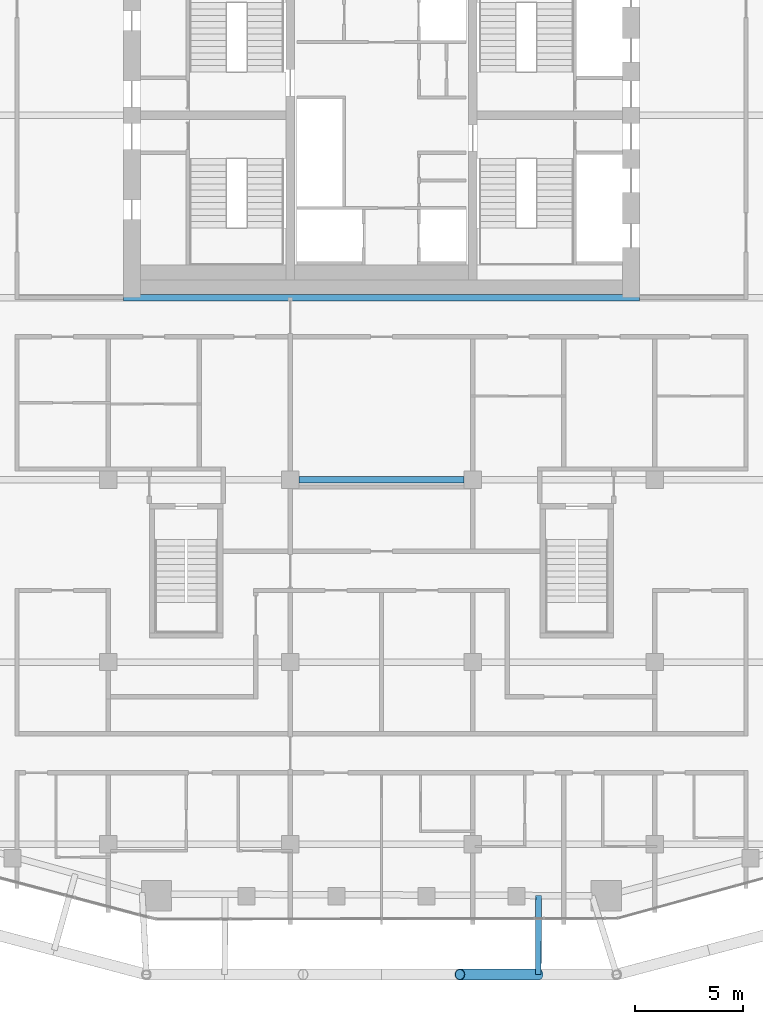
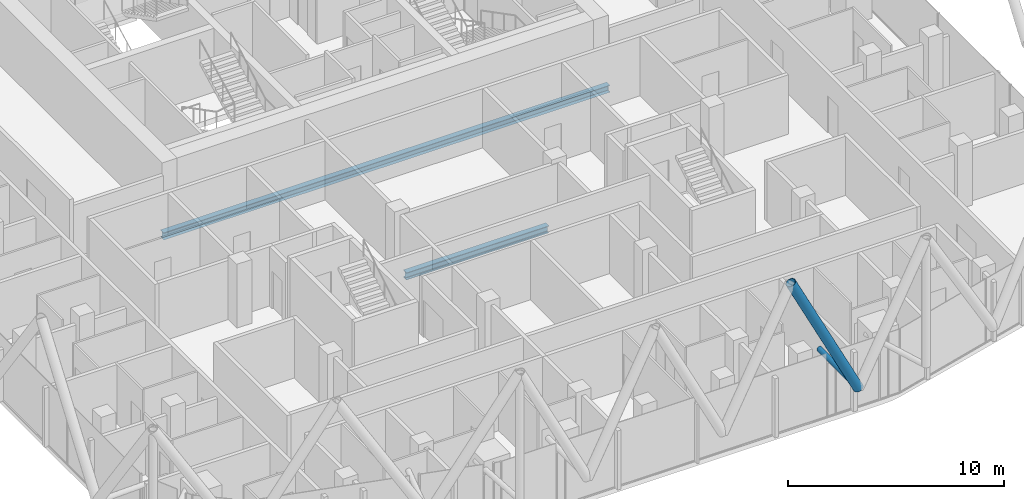
# One storey, part 5 of 31: 2 beams, 2 members.
"""IFC4 building model written with IfcOpenShell, lengths in metres."""

from ifc_helpers import new_model, si_unit, direction, frame, origin, origin_2d, place, context, subcontext, project, spatial, hollow_circle, i_section, extrude, material, material_profile, profile_set, type_object, element, save


model = new_model("IFC4")

# Units and contexts
model_context = context("Model", 3, precision=1e-05, world=origin(), true_north=direction((0.0, 1.0)))
body_context = subcontext(model_context, "Body", "Model", "MODEL_VIEW")
ifc_project = project(units=[si_unit("LENGTHUNIT", "METRE"), si_unit("AREAUNIT", "SQUARE_METRE"), si_unit("VOLUMEUNIT", "CUBIC_METRE"), si_unit("PLANEANGLEUNIT", "RADIAN"), si_unit("MASSUNIT", "GRAM", prefix="KILO")], contexts=[model_context])

# Site, building, storey
site_placement = place(None, origin())
site = spatial("IfcSite", under=ifc_project, at=site_placement, CompositionType="ELEMENT")
building_placement = place(site_placement, origin())
building = spatial("IfcBuilding", under=site, at=building_placement, Name="Marenta Gate Hotel Tower", CompositionType="ELEMENT")
storey_placement = place(building_placement, frame((0.0, 0.0, 220.10009765625)))
storey = spatial("IfcBuildingStorey", under=building, at=storey_placement, Name="L51", CompositionType="ELEMENT", Elevation=220.10009765625)

# Members
ifc_material_1 = material(Name="Steel S355J2W", Category="steel")
ifc_material_profile_1 = material_profile(ifc_material_1, hollow_circle(Radius=0.25390625, WallThickness=0.02490234375, at=origin_2d()), Name="CHS 508x25")
ifc_profile_set_1 = profile_set([ifc_material_profile_1], Name="Steel S355J2W")
member_type_1 = type_object("IfcMemberType", Name="Diagrid diagonal Z3 CHS 508x25", PredefinedType="BRACE", material=ifc_profile_set_1)
member_1_placement = place(storey_placement, frame((7.22607421875, -31.199951171875, 3.139892578125), z_axis=(-0.44851025603, 0.0, 0.893777685018), x_axis=(0.0, -1.0, 0.0)))
element("IfcMember", 1, at=member_1_placement, inside=storey, type_object=member_type_1, Name="L51-DG-16", PredefinedType="BRACE", context=body_context, shape_type="SweptSolid", body=[
    extrude(hollow_circle(Radius=0.25390625, WallThickness=0.02490234375, at=origin_2d()), origin(), (0.0, 0.0, 1.0), 8.0556640625),
])
ifc_material_2 = material(Name="Steel S355J2W", Category="steel")
ifc_material_profile_2 = material_profile(ifc_material_2, hollow_circle(Radius=0.136474609375, WallThickness=0.012451171875, at=origin_2d()), Name="CHS 273x12.5")
ifc_profile_set_2 = profile_set([ifc_material_profile_2], Name="Steel S355J2W")
member_type_2 = type_object("IfcMemberType", Name="Floor tie CHS 273x12.5", PredefinedType="STRUT", material=ifc_profile_set_2)
member_2_placement = place(storey_placement, frame((7.22607421875, -31.199951171875, 3.139892578125), z_axis=(0.003830102265, 0.999992665131, 0.0), x_axis=(-0.999992665131, 0.003830102265, 0.0)))
element("IfcMember", 2, at=member_2_placement, inside=storey, type_object=member_type_2, Name="L51-DR-14", PredefinedType="STRUT", context=body_context, shape_type="SweptSolid", body=[
    extrude(hollow_circle(Radius=0.136474609375, WallThickness=0.012451171875, at=origin_2d()), origin(), (0.0, 0.0, 1.0), 3.63330078125),
])

# Beams
ifc_material_3 = material(Name="Steel S355", Category="steel")
ifc_material_profile_3 = material_profile(ifc_material_3, i_section(OverallWidth=0.300048828125, OverallDepth=0.39990234375, WebThickness=0.013427734375, FlangeThickness=0.02392578125, FilletRadius=0.027099609375, at=origin_2d()), Name="HEB 400")
ifc_profile_set_3 = profile_set([ifc_material_profile_3], Name="Steel S355")
beam_type = type_object("IfcBeamType", Name="Girder HEB 400", PredefinedType="BEAM", material=ifc_profile_set_3)
beam_1_placement = place(storey_placement, frame((-3.800048828125, -8.39990234375, -0.460205078125), z_axis=(1.0, 0.0, 0.0), x_axis=(0.0, 1.0, 0.0)))
element("IfcBeam", 3, at=beam_1_placement, inside=storey, type_object=beam_type, Name="L51-GD-16", PredefinedType="BEAM", context=body_context, shape_type="SweptSolid", body=[
    extrude(i_section(OverallWidth=0.300048828125, OverallDepth=0.39990234375, WebThickness=0.013427734375, FlangeThickness=0.02392578125, FilletRadius=0.027099609375, at=origin_2d()), origin(), (0.0, 0.0, 1.0), 7.60009765625),
])
beam_2_placement = place(storey_placement, frame((-11.89990234375, 0.0, -0.460205078125), z_axis=(1.0, 0.0, 0.0), x_axis=(0.0, 1.0, 0.0)))
element("IfcBeam", 4, at=beam_2_placement, inside=storey, type_object=beam_type, Name="L51-GD-22", PredefinedType="BEAM", context=body_context, shape_type="SweptSolid", body=[
    extrude(i_section(OverallWidth=0.300048828125, OverallDepth=0.39990234375, WebThickness=0.013427734375, FlangeThickness=0.02392578125, FilletRadius=0.027099609375, at=origin_2d()), origin(), (0.0, 0.0, 1.0), 23.7998046875),
])

save(model, "model.ifc")
